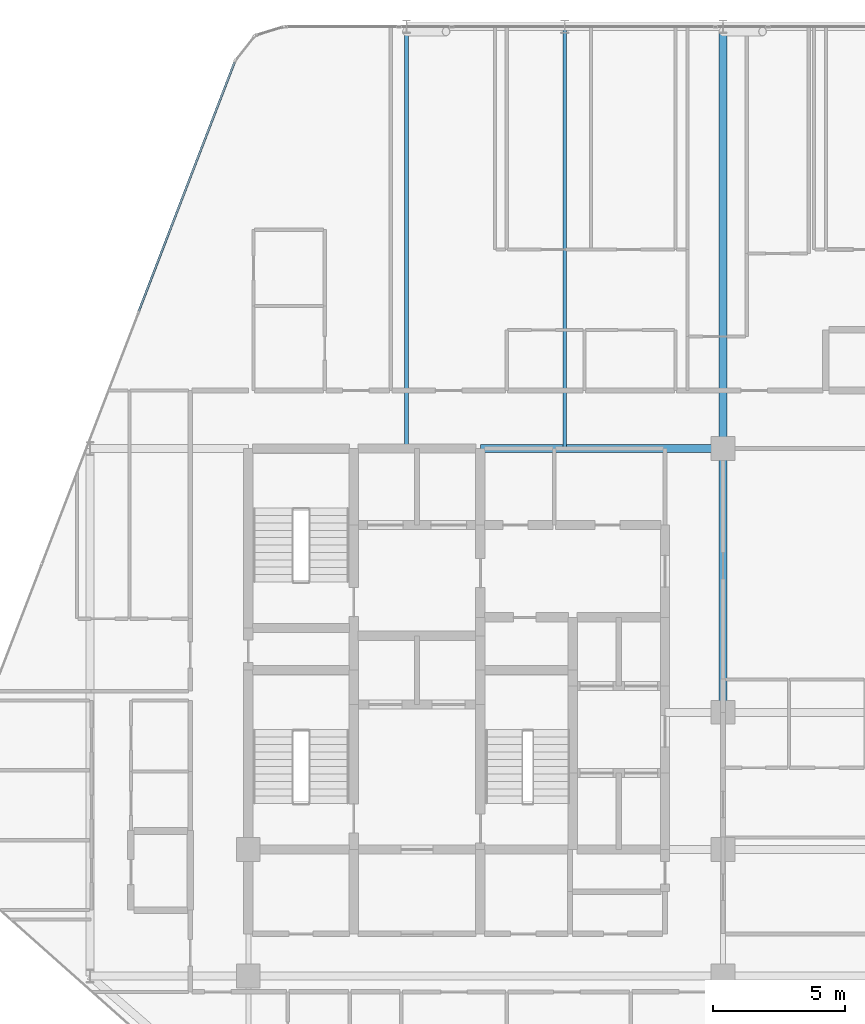
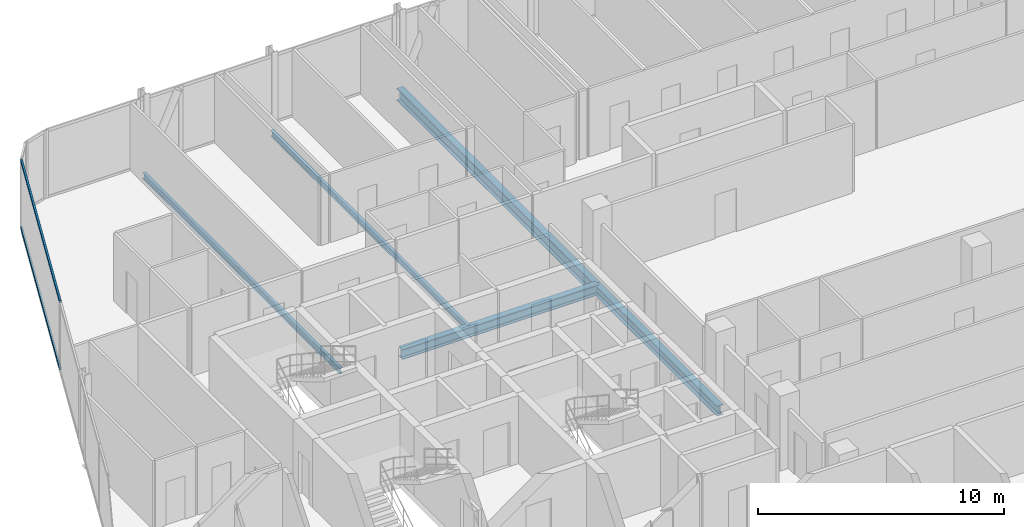
# One storey, part 16 of 32: 5 beams, 2 members, 1 element without a shape of its own.
"""IFC4 building model written with IfcOpenShell, lengths in metres."""

from ifc_helpers import new_model, si_unit, direction, frame, origin, origin_2d, place, context, subcontext, project, spatial, hollow_rectangle, i_section, extrude, material, layer, layer_set, material_profile, profile_set, type_object, element, aggregate, save


model = new_model("IFC4")

# Units and contexts
model_context = context("Model", 3, precision=1e-05, world=origin(), true_north=direction((0.0, 1.0)))
body_context = subcontext(model_context, "Body", "Model", "MODEL_VIEW")
ifc_project = project(units=[si_unit("LENGTHUNIT", "METRE"), si_unit("AREAUNIT", "SQUARE_METRE"), si_unit("VOLUMEUNIT", "CUBIC_METRE"), si_unit("PLANEANGLEUNIT", "RADIAN"), si_unit("MASSUNIT", "GRAM", prefix="KILO")], contexts=[model_context])

# Site, building, storey
site_placement = place(None, origin())
site = spatial("IfcSite", under=ifc_project, at=site_placement, CompositionType="ELEMENT")
building_placement = place(site_placement, origin())
building = spatial("IfcBuilding", under=site, at=building_placement, Name="Keshet Zoharim Tower", CompositionType="ELEMENT")
storey_placement = place(building_placement, frame((0.0, 0.0, 137.199951171875)))
storey = spatial("IfcBuildingStorey", under=building, at=storey_placement, Name="L33", CompositionType="ELEMENT", Elevation=137.199951171875)

# Beams
ifc_material_1 = material(Name="Steel S355", Category="steel")
ifc_material_profile_1 = material_profile(ifc_material_1, i_section(OverallWidth=0.14990234375, OverallDepth=0.300048828125, WebThickness=0.007080078125, FlangeThickness=0.0107421875, FilletRadius=0.014892578125, at=origin_2d()), Name="IPE300")
ifc_profile_set_1 = profile_set([ifc_material_profile_1], Name="Steel S355")
beam_type_1 = type_object("IfcBeamType", Name="BM-JST-IP300", PredefinedType="JOIST", material=ifc_profile_set_1)
for number, where, z_axis, x_axis, name in (
    (1, (21.0, 37.89990234375, -0.46484375), (0.0, 1.0, 0.0), (-1.0, 0.0, 0.0), "L33 Secondary Floor Joist J-001"),
    (2, (27.0, 37.89990234375, -0.46484375), (0.0, 1.0, 0.0), (-1.0, 0.0, 0.0), "L33 Secondary Floor Joist J-002"),
):
    element("IfcBeam", number, at=place(storey_placement, frame(where, z_axis=z_axis, x_axis=x_axis)), inside=storey, type_object=beam_type_1, Name=name, PredefinedType="JOIST", context=body_context, shape_type="SweptSolid", body=[
        extrude(i_section(OverallWidth=0.14990234375, OverallDepth=0.300048828125, WebThickness=0.007080078125, FlangeThickness=0.0107421875, FilletRadius=0.014892578125, at=origin_2d()), origin(), (0.0, 0.0, 1.0), 16.0),
    ])
ifc_material_profile_2 = material_profile(ifc_material_1, i_section(OverallWidth=0.300048828125, OverallDepth=0.60009765625, WebThickness=0.015380859375, FlangeThickness=0.030029296875, FilletRadius=0.027099609375, at=origin_2d()), Name="HEB600")
ifc_profile_set_2 = profile_set([ifc_material_profile_2], Name="Steel S355")
beam_type_2 = type_object("IfcBeamType", Name="BM-LNG-HB600", PredefinedType="BEAM", material=ifc_profile_set_2)
beam_1_placement = place(storey_placement, frame((33.0, 37.89990234375, -0.614990234375), z_axis=(0.0, 1.0, 0.0), x_axis=(-1.0, 0.0, 0.0)))
element("IfcBeam", 3, at=beam_1_placement, inside=storey, type_object=beam_type_2, Name="L33 Primary Girder Y-011", PredefinedType="BEAM", context=body_context, shape_type="SweptSolid", body=[
    extrude(i_section(OverallWidth=0.300048828125, OverallDepth=0.60009765625, WebThickness=0.015380859375, FlangeThickness=0.030029296875, FilletRadius=0.027099609375, at=origin_2d()), origin(), (0.0, 0.0, 1.0), 16.0),
])
ifc_material_profile_3 = material_profile(ifc_material_1, i_section(OverallWidth=0.300048828125, OverallDepth=0.5, WebThickness=0.014404296875, FlangeThickness=0.028076171875, FilletRadius=0.027099609375, at=origin_2d()), Name="HEB500")
ifc_profile_set_3 = profile_set([ifc_material_profile_3], Name="Steel S355")
beam_type_3 = type_object("IfcBeamType", Name="BM-MED-HB500", PredefinedType="BEAM", material=ifc_profile_set_3)
beam_2_placement = place(storey_placement, frame((23.800048828125, 37.89990234375, -0.56494140625), z_axis=(1.0, 0.0, 0.0), x_axis=(0.0, 1.0, 0.0)))
element("IfcBeam", 4, at=beam_2_placement, inside=storey, type_object=beam_type_3, Name="L33 Primary Girder X-019", PredefinedType="BEAM", context=body_context, shape_type="SweptSolid", body=[
    extrude(i_section(OverallWidth=0.300048828125, OverallDepth=0.5, WebThickness=0.014404296875, FlangeThickness=0.028076171875, FilletRadius=0.027099609375, at=origin_2d()), origin(), (0.0, 0.0, 1.0), 9.199951171875),
])
beam_3_placement = place(storey_placement, frame((33.0, 27.89990234375, -0.56494140625), z_axis=(0.0, 1.0, 0.0), x_axis=(-1.0, 0.0, 0.0)))
element("IfcBeam", 5, at=beam_3_placement, inside=storey, type_object=beam_type_3, Name="L33 Primary Girder Y-010", PredefinedType="BEAM", context=body_context, shape_type="SweptSolid", body=[
    extrude(i_section(OverallWidth=0.300048828125, OverallDepth=0.5, WebThickness=0.014404296875, FlangeThickness=0.028076171875, FilletRadius=0.027099609375, at=origin_2d()), origin(), (0.0, 0.0, 1.0), 10.0),
])

# Curtain wall, members
ifc_material_2 = material(Name="Aluminium 6063-T6", Category="aluminium")
ifc_layer = layer(ifc_material_2, 0.159912109375)
ifc_layer_set = layer_set([ifc_layer], Name="Aluminium 6063-T6")
curtain_wall_type = type_object("IfcCurtainWallType", Name="CW-SYS-03", PredefinedType="NOTDEFINED", material=ifc_layer_set)
curtain_wall_placement = place(storey_placement, origin())
curtain_wall = element("IfcCurtainWall", 6, at=curtain_wall_placement, inside=storey, type_object=curtain_wall_type, Name="L33 Unitised Curtain Wall 10", PredefinedType="NOTDEFINED")
ifc_material_profile_4 = material_profile(ifc_material_2, hollow_rectangle(XDim=0.080078125, YDim=0.139892578125, WallThickness=0.00390625, at=origin_2d()), Name="TRN-80x140")
ifc_profile_set_4 = profile_set([ifc_material_profile_4], Name="Aluminium 6063-T6")
member_type = type_object("IfcMemberType", Name="CWT-T14", PredefinedType="USERDEFINED", material=ifc_profile_set_4)
member_1_placement = place(storey_placement, frame((10.849609375, 43.10888671875, 0.03515625), z_axis=(0.358985546764, 0.933343118694, 0.0), x_axis=(-0.933343118694, 0.358985546764, 0.0)))
member_1 = element("IfcMember", 7, at=member_1_placement, type_object=member_type, Name="CW-03 transom 3.1", ObjectType="TRANSOM", PredefinedType="USERDEFINED", context=body_context, shape_type="SweptSolid", body=[
    extrude(hollow_rectangle(XDim=0.080078125, YDim=0.139892578125, WallThickness=0.00390625, at=origin_2d()), origin(), (0.0, 0.0, 1.0), 10.118408203125),
])
member_2_placement = place(storey_placement, frame((10.849609375, 43.10888671875, 3.35009765625), z_axis=(0.358985546764, 0.933343118694, 0.0), x_axis=(-0.933343118694, 0.358985546764, 0.0)))
member_2 = element("IfcMember", 8, at=member_2_placement, type_object=member_type, Name="CW-03 transom 3.2", ObjectType="TRANSOM", PredefinedType="USERDEFINED", context=body_context, shape_type="SweptSolid", body=[
    extrude(hollow_rectangle(XDim=0.080078125, YDim=0.139892578125, WallThickness=0.00390625, at=origin_2d()), origin(), (0.0, 0.0, 1.0), 10.118408203125),
])
aggregate(curtain_wall, [member_1, member_2])

save(model, "model.ifc")
